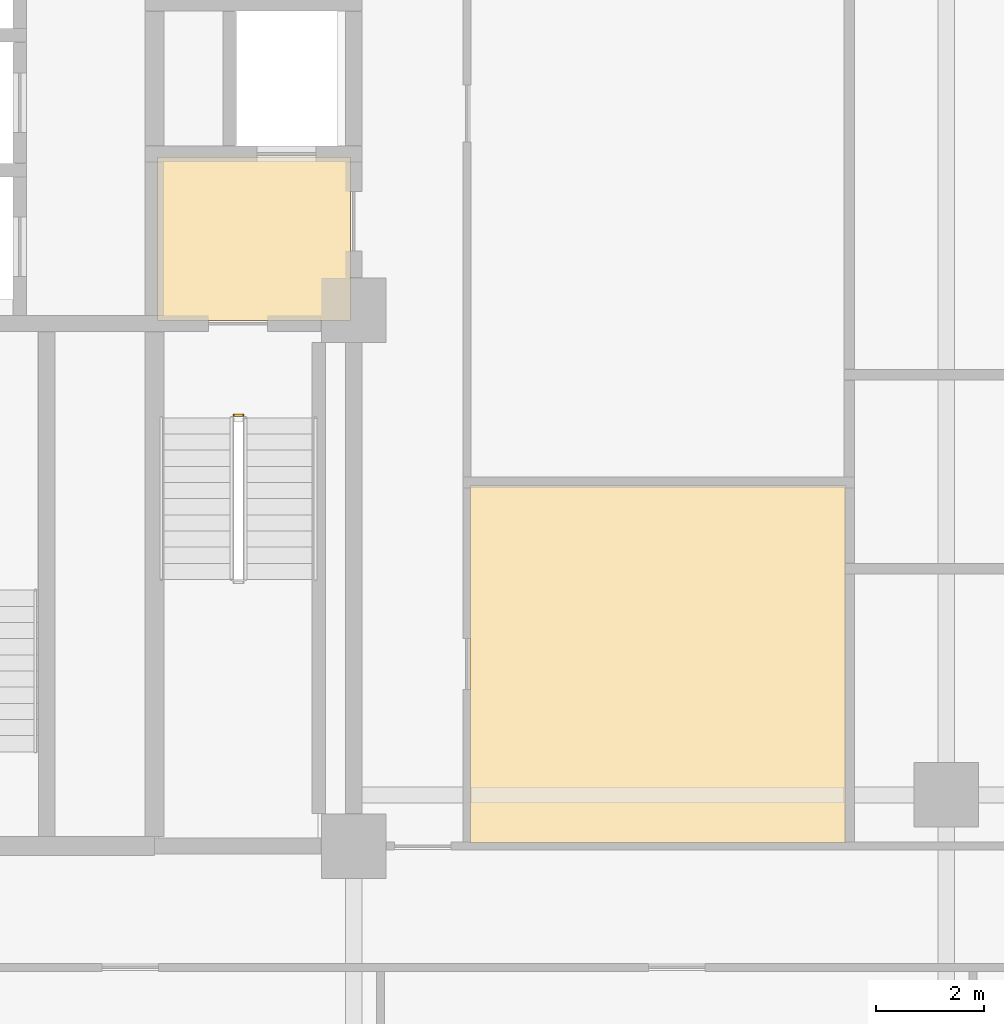
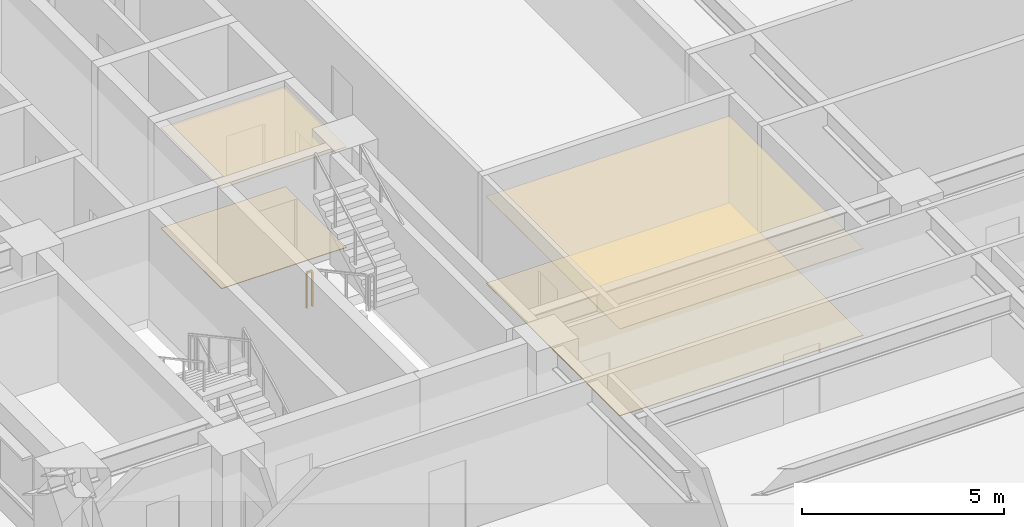
# One storey, part 10 of 13: 4 coverings, 1 railing.
"""IFC4 building model written with IfcOpenShell, lengths in metres."""

import ifcopenshell
import ifcopenshell.guid

model = None  # the IFC model being written
_history = None  # IfcOwnerHistory: only IFC2X3 demands one
_inside = {}  # id of a spatial element -> (the spatial element, [elements in it])
_under = {}  # id of a project, library or spatial element -> (it, [spatial elements below it])
_declared = {}  # id of a project -> (the project, [libraries it declares])
_typed = {}  # id of a type object -> (the type object, [elements of that type])
_made_of = {}  # id of a material, layer set ... -> (it, [elements and type objects made of it])


def new_model(schema):
    """Start an empty IFC model of exactly this schema.

    Asked for "IFC4X3", IfcOpenShell would pick the latest addendum, in which some entities
    have other attributes; the version numbers below select the first issue.
    IFC2X3 requires an IfcOwnerHistory on every rooted entity: one is made here for all.
    """
    global model, _history
    if schema == "IFC4X3":
        model = ifcopenshell.file(schema_version=(4, 3, 0, 0))
    else:
        model = ifcopenshell.file(schema=schema)
    _inside.clear()
    _under.clear()
    _declared.clear()
    _typed.clear()
    _made_of.clear()
    _history = None
    if model.schema == "IFC2X3":
        org = make("IfcOrganization", Name="unknown")
        user = make(
            "IfcPersonAndOrganization",
            ThePerson=make("IfcPerson", FamilyName="unknown"),
            TheOrganization=org,
        )
        app = make(
            "IfcApplication",
            ApplicationDeveloper=org,
            Version="unknown",
            ApplicationFullName="unknown",
            ApplicationIdentifier="unknown",
        )
        _history = make(
            "IfcOwnerHistory",
            OwningUser=user,
            OwningApplication=app,
            ChangeAction="ADDED",
            CreationDate=0,
        )
    return model


def make(cls, **values):
    """One entity of the class cls with the attributes given. An attribute that is None is left unset."""
    return model.create_entity(
        cls, **{name: value for name, value in values.items() if value is not None}
    )


def rooted(cls, **values):
    """An entity with a GlobalId (a new one), such as an element, a storey or a relation."""
    return make(cls, GlobalId=ifcopenshell.guid.new(), OwnerHistory=_history, **values)


def si_unit(unit_type, name, prefix=None):
    """IfcSIUnit, for example si_unit("LENGTHUNIT", "METRE", prefix="MILLI")."""
    return make("IfcSIUnit", UnitType=unit_type, Prefix=prefix, Name=name)


def assignment(units):
    """IfcUnitAssignment: the units of a project."""
    return None if units is None else make("IfcUnitAssignment", Units=units)


def point(xyz):
    """IfcCartesianPoint."""
    return None if xyz is None else make("IfcCartesianPoint", Coordinates=xyz)


def direction(xyz):
    """IfcDirection."""
    return None if xyz is None else make("IfcDirection", DirectionRatios=xyz)


def frame(location, z_axis=None, x_axis=None):
    """IfcAxis2Placement3D, a coordinate frame: its origin and axes. An axis left out is left unset."""
    return make(
        "IfcAxis2Placement3D",
        Location=point(location),
        Axis=direction(z_axis),
        RefDirection=direction(x_axis),
    )


def frame_2d(location, x_axis=None):
    """IfcAxis2Placement2D, a coordinate frame in the plane: its origin and x axis."""
    return make(
        "IfcAxis2Placement2D", Location=point(location), RefDirection=direction(x_axis)
    )


def origin():
    """The frame at (0, 0, 0) with its axes left unset."""
    return frame((0.0, 0.0, 0.0))


def origin_2d():
    """The frame at (0, 0) in the plane with its x axis left unset."""
    return frame_2d((0.0, 0.0))


def place(relative_to, where):
    """IfcLocalPlacement: puts the frame where relative to a parent placement (None: the world)."""
    return make(
        "IfcLocalPlacement", PlacementRelTo=relative_to, RelativePlacement=where
    )


def context(
    kind, dimensions, precision=None, world=None, true_north=None, identifier=None
):
    """IfcGeometricRepresentationContext, for example the 3D "Model" context."""
    return make(
        "IfcGeometricRepresentationContext",
        ContextIdentifier=identifier,
        ContextType=kind,
        CoordinateSpaceDimension=dimensions,
        Precision=precision,
        WorldCoordinateSystem=world,
        TrueNorth=true_north,
    )


def subcontext(parent, identifier, kind, view, scale=None):
    """IfcGeometricRepresentationSubContext, for example "Body" below "Model"."""
    return make(
        "IfcGeometricRepresentationSubContext",
        ContextIdentifier=identifier,
        ContextType=kind,
        ParentContext=parent,
        TargetScale=scale,
        TargetView=view,
    )


def project(units=None, contexts=None):
    """IfcProject with its units and contexts."""
    return rooted(
        "IfcProject",
        Name="project",
        RepresentationContexts=contexts,
        UnitsInContext=assignment(units),
    )


def spatial(cls, under=None, at=None, **own):
    """A site, building, storey or space (cls), placed at a placement, below another one or the project."""
    s = rooted(cls, ObjectPlacement=at, **own)
    if under is not None:
        _under.setdefault(under.id(), (under, []))[1].append(s)
    return s


def polyline(points):
    """IfcPolyline through the points."""
    return make("IfcPolyline", Points=[point(p) for p in points])


def profile(cls, at=None, kind="AREA", **sizes):
    """A parametric profile (cls). Its sizes go by their IFC names, for example OverallWidth=200.0."""
    return make(cls, ProfileType=kind, Position=at, **sizes)


def rectangle(**sizes):
    """IfcRectangleProfileDef."""
    return profile("IfcRectangleProfileDef", **sizes)


def outline(outer, holes=None, kind="AREA"):
    """IfcArbitraryClosedProfileDef: a profile drawn as a closed curve; with holes, ...WithVoids."""
    if holes is None:
        return make("IfcArbitraryClosedProfileDef", ProfileType=kind, OuterCurve=outer)
    return make(
        "IfcArbitraryProfileDefWithVoids",
        ProfileType=kind,
        OuterCurve=outer,
        InnerCurves=holes,
    )


def extrude(swept, where, along, depth):
    """IfcExtrudedAreaSolid: the profile swept, set in the frame where, extruded along a direction by depth."""
    return make(
        "IfcExtrudedAreaSolid",
        SweptArea=swept,
        Position=where,
        ExtrudedDirection=direction(along),
        Depth=depth,
    )


def shape(context_of_items, identifier, shape_type, items):
    """IfcShapeRepresentation: the items that make up one representation, for example the "Body"."""
    return make(
        "IfcShapeRepresentation",
        ContextOfItems=context_of_items,
        RepresentationIdentifier=identifier,
        RepresentationType=shape_type,
        Items=items,
    )


def material(Name=None, Category=None):
    """IfcMaterial."""
    return make("IfcMaterial", Name=Name, Category=Category)


def layer(
    of_material, thickness, ventilated=None, Name=None, Category=None, Priority=None
):
    """IfcMaterialLayer: one layer of a wall or slab, of a material (None: an air gap)."""
    return make(
        "IfcMaterialLayer",
        Material=of_material,
        LayerThickness=thickness,
        IsVentilated=ventilated,
        Name=Name,
        Category=Category,
        Priority=Priority,
    )


def layer_set(layers, Name=None):
    """IfcMaterialLayerSet."""
    return make("IfcMaterialLayerSet", MaterialLayers=layers, LayerSetName=Name)


def made_of(thing, what):
    """Note that an element or type object is made of a material, layer set ...; save() writes the relation."""
    if what is not None:
        _made_of.setdefault(what.id(), (what, []))[1].append(thing)
    return thing


def type_object(cls, material=None, **own):
    """A type object (cls), such as IfcWallType, which elements share."""
    return made_of(rooted(cls, **own), material)


def element(
    cls,
    number,
    at=None,
    inside=None,
    cuts=None,
    type_object=None,
    material=None,
    context=None,
    identifier="Body",
    shape_type=None,
    held_by="IfcProductDefinitionShape",
    body=None,
    shapes=None,
    **own,
):
    """One element of the class cls, such as IfcWall. Its Tag is "e" and its number.

    at: its placement. inside: the storey or other place that contains it. cuts: it is an
    opening in that element (IfcRelVoidsElement). A single representation is given by context,
    identifier, shape_type and body (its items); several are given by shapes. held_by: the class
    of the entity that holds the representations. save() writes the other relations.
    """
    e = rooted(cls, Tag="e%d" % number, ObjectPlacement=at, **own)
    if body is not None:
        shapes = [shape(context, identifier, shape_type, body)]
    if shapes is not None:
        e.Representation = make(held_by, Representations=shapes)
    if inside is not None:
        _inside.setdefault(inside.id(), (inside, []))[1].append(e)
    if cuts is not None:
        rooted(
            "IfcRelVoidsElement", RelatingBuildingElement=cuts, RelatedOpeningElement=e
        )
    if type_object is not None:
        _typed.setdefault(type_object.id(), (type_object, []))[1].append(e)
    return made_of(e, material)


def aggregate(whole, parts):
    """IfcRelAggregates: a whole, such as a stair, and the parts it consists of."""
    return rooted("IfcRelAggregates", RelatingObject=whole, RelatedObjects=parts)


def save(model, path):
    """Write the relations noted so far, then the file.

    IfcRelAggregates (storeys below a building ...), IfcRelContainedInSpatialStructure (elements
    in a storey), IfcRelDefinesByType, IfcRelAssociatesMaterial and IfcRelDeclares: one each for
    every whole, place, type object, material and project.
    """
    for whole, parts in _under.values():
        aggregate(whole, parts)
    for where, things in _inside.values():
        rooted(
            "IfcRelContainedInSpatialStructure",
            RelatedElements=things,
            RelatingStructure=where,
        )
    for kind, things in _typed.values():
        rooted("IfcRelDefinesByType", RelatedObjects=things, RelatingType=kind)
    for what, things in _made_of.values():
        rooted("IfcRelAssociatesMaterial", RelatedObjects=things, RelatingMaterial=what)
    for by, libraries in _declared.values():
        rooted("IfcRelDeclares", RelatingContext=by, RelatedDefinitions=libraries)
    model.write(path)


model = new_model("IFC4")

# Units and contexts
model_context = context("Model", 3, precision=1e-05, world=origin(), true_north=direction((0.0, 1.0)))
body_context = subcontext(model_context, "Body", "Model", "MODEL_VIEW")
ifc_project = project(units=[si_unit("LENGTHUNIT", "METRE"), si_unit("AREAUNIT", "SQUARE_METRE"), si_unit("VOLUMEUNIT", "CUBIC_METRE"), si_unit("PLANEANGLEUNIT", "RADIAN"), si_unit("MASSUNIT", "GRAM", prefix="KILO")], contexts=[model_context])

# Site, building, storey
site_placement = place(None, origin())
site = spatial("IfcSite", under=ifc_project, at=site_placement, CompositionType="ELEMENT")
building_placement = place(site_placement, origin())
building = spatial("IfcBuilding", under=site, at=building_placement, Name="Zulmaris Gate Convention Tower", CompositionType="ELEMENT")
storey_placement = place(building_placement, frame((0.0, 0.0, 34.340087890625)))
storey = spatial("IfcBuildingStorey", under=building, at=storey_placement, Name="L07", CompositionType="ELEMENT", Elevation=34.340087890625)

# Coverings
ifc_material_1 = material(Name="Mineral Fibre Acoustic Ceiling Tile")
ifc_layer_1 = layer(ifc_material_1, 0.02001953125, Name="Mineral Fibre Acoustic Ceiling Tile")
ifc_layer_set_1 = layer_set([ifc_layer_1], Name="Mineral Fibre Acoustic Ceiling Tile")
covering_type_1 = type_object("IfcCoveringType", Name="CLG-ACOUSTIC-600", PredefinedType="CEILING", material=ifc_layer_set_1)
covering_1_placement = place(storey_placement, frame((0.0, 0.0, 3.039794921875)))
element("IfcCovering", 1, at=covering_1_placement, inside=storey, type_object=covering_type_1, Name="CLG-L07-R03", PredefinedType="CEILING", context=body_context, shape_type="SweptSolid", body=[
    extrude(outline(polyline([(-14.639892578125, -0.18994140625), (-11.06005859375, -0.18994140625), (-11.06005859375, 2.840087890625), (-14.639892578125, 2.840087890625), (-14.639892578125, -0.18994140625)])), origin(), (0.0, 0.0, 1.0), 0.02001953125),
])
covering_2_placement = place(storey_placement, frame((0.0, 0.0, 2.6279296875)))
element("IfcCovering", 2, at=covering_2_placement, inside=storey, type_object=covering_type_1, Name="CLG-L07-R40", PredefinedType="CEILING", context=body_context, shape_type="SweptSolid", body=[
    extrude(outline(polyline([(-8.840087890625, -9.889892578125), (-1.860107421875, -9.889892578125), (-1.860107421875, -3.260009765625), (-8.840087890625, -3.260009765625), (-8.840087890625, -9.889892578125)])), origin(), (0.0, 0.0, 1.0), 0.019775390625),
])
ifc_material_2 = material(Name="Woven Acoustic Wool Carpet Tile")
ifc_layer_2 = layer(ifc_material_2, 0.02001953125, Name="Woven Acoustic Wool Carpet Tile")
ifc_layer_set_2 = layer_set([ifc_layer_2], Name="Woven Acoustic Wool Carpet Tile")
covering_type_2 = type_object("IfcCoveringType", Name="FLR-CARPET-12", PredefinedType="FLOORING", material=ifc_layer_set_2)
covering_3_placement = place(storey_placement, origin())
element("IfcCovering", 3, at=covering_3_placement, inside=storey, type_object=covering_type_2, Name="FLR-L07-R03", PredefinedType="FLOORING", context=body_context, shape_type="SweptSolid", body=[
    extrude(outline(polyline([(-14.639892578125, -0.18994140625), (-11.06005859375, -0.18994140625), (-11.06005859375, 2.840087890625), (-14.639892578125, 2.840087890625), (-14.639892578125, -0.18994140625)])), origin(), (0.0, 0.0, 1.0), 0.02001953125),
])
covering_4_placement = place(storey_placement, origin())
element("IfcCovering", 4, at=covering_4_placement, inside=storey, type_object=covering_type_2, Name="FLR-L07-R40", PredefinedType="FLOORING", context=body_context, shape_type="SweptSolid", body=[
    extrude(outline(polyline([(-8.840087890625, -9.889892578125), (-1.860107421875, -9.889892578125), (-1.860107421875, -3.260009765625), (-8.840087890625, -3.260009765625), (-8.840087890625, -9.889892578125)])), origin(), (0.0, 0.0, 1.0), 0.02001953125),
])

# Railing
ifc_material_3 = material(Name="Painted Galvanised Steel", Category="steel")
railing_type = type_object("IfcRailingType", Name="RL-STG-1150", PredefinedType="GUARDRAIL", material=ifc_material_3)
railing_placement = place(storey_placement, frame((-13.219970703125, -1.949951171875, 0.0)))
element("IfcRailing", 5, at=railing_placement, inside=storey, type_object=railing_type, Name="L07 ST-1 stair guard 4", PredefinedType="GUARDRAIL", context=body_context, shape_type="SweptSolid", body=[
    extrude(rectangle(XDim=0.048095703125, YDim=0.048095703125, at=origin_2d()), frame((0.0, 0.0, 1.076171875), z_axis=(1.0, 0.0, 0.0), x_axis=(0.0, 1.0, 0.0)), (0.0, 0.0, 1.0), 0.159912109375),
    extrude(rectangle(XDim=0.0419921875, YDim=0.0419921875, at=origin_2d()), origin(), (0.0, 0.0, 1.0), 1.052001953125),
    extrude(rectangle(XDim=0.0419921875, YDim=0.0419921875, at=origin_2d()), frame((0.159912109375, 0.0, 0.0)), (0.0, 0.0, 1.0), 1.052001953125),
])

save(model, "model.ifc")
